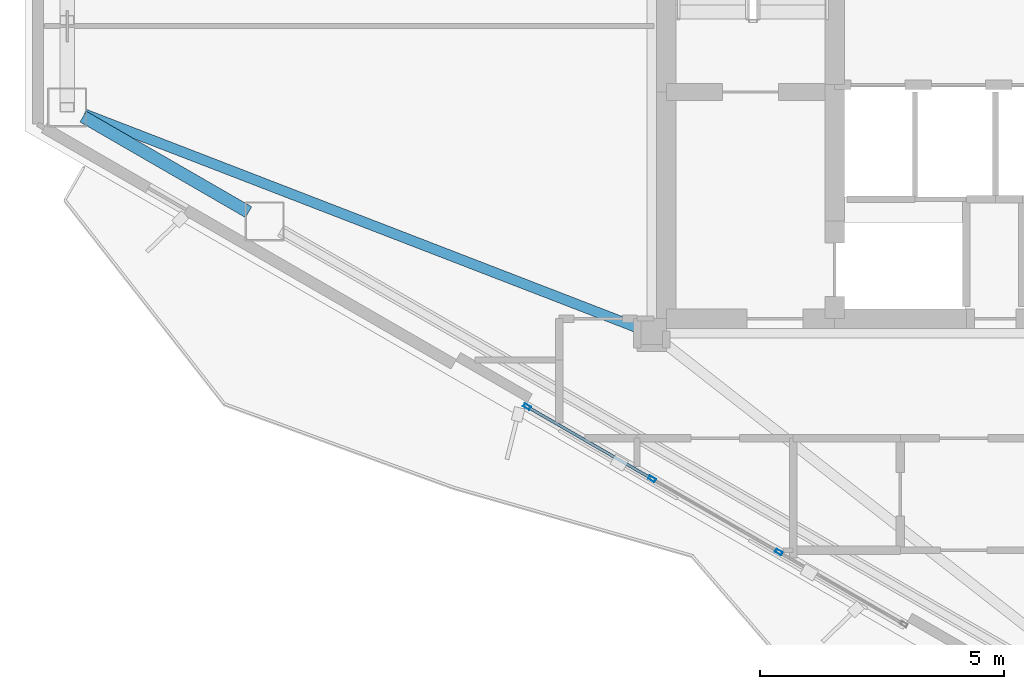
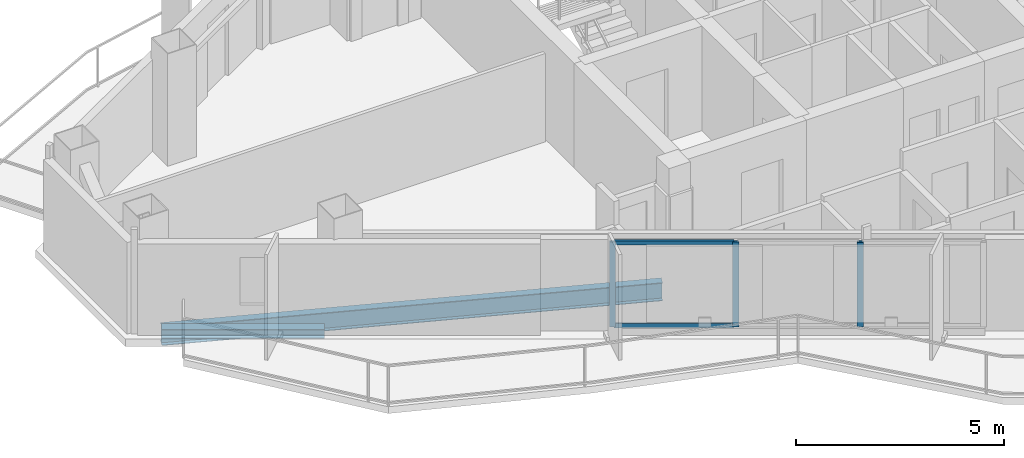
# One storey, part 2 of 22: 5 members, 2 beams, 1 element without a shape of its own.
"""IFC4 building model written with IfcOpenShell, lengths in metres."""

from ifc_helpers import new_model, si_unit, direction, frame, origin, origin_2d, place, context, subcontext, project, spatial, hollow_rectangle, i_section, extrude, material, layer, layer_set, material_profile, profile_set, type_object, element, aggregate, save


model = new_model("IFC4")

# Units and contexts
model_context = context("Model", 3, precision=1e-05, world=origin(), true_north=direction((0.0, 1.0)))
body_context = subcontext(model_context, "Body", "Model", "MODEL_VIEW")
ifc_project = project(units=[si_unit("LENGTHUNIT", "METRE"), si_unit("AREAUNIT", "SQUARE_METRE"), si_unit("VOLUMEUNIT", "CUBIC_METRE"), si_unit("PLANEANGLEUNIT", "RADIAN"), si_unit("MASSUNIT", "GRAM", prefix="KILO")], contexts=[model_context])

# Site, building, storey
site_placement = place(None, origin())
site = spatial("IfcSite", under=ifc_project, at=site_placement, CompositionType="ELEMENT")
building_placement = place(site_placement, origin())
building = spatial("IfcBuilding", under=site, at=building_placement, Name="Mersakhor Tower and Convention Hall", CompositionType="ELEMENT")
storey_placement = place(building_placement, frame((0.0, 0.0, 205.199951171875)))
storey = spatial("IfcBuildingStorey", under=building, at=storey_placement, Name="L57", CompositionType="ELEMENT", Elevation=205.199951171875)

# Beams
ifc_material_1 = material(Name="Steel S355", Category="steel")
ifc_material_profile_1 = material_profile(ifc_material_1, i_section(OverallWidth=0.2099609375, OverallDepth=0.53662109375, WebThickness=0.0107421875, FlangeThickness=0.017333984375, at=origin_2d()), Name="UB 533x210x101")
ifc_profile_set_1 = profile_set([ifc_material_profile_1], Name="Steel S355")
beam_type_1 = type_object("IfcBeamType", Name="BM-FB-533", PredefinedType="BEAM", material=ifc_profile_set_1)
beam_1_placement = place(storey_placement, frame((21.638916015625, 20.55078125, -0.498291015625), z_axis=(-0.932761425449, 0.36049427623, 0.0), x_axis=(-0.36049427623, -0.932761425449, 0.0)))
element("IfcBeam", 1, at=beam_1_placement, inside=storey, type_object=beam_type_1, Name="L57 Primary Floor Girder FG-6", PredefinedType="BEAM", context=body_context, shape_type="SweptSolid", body=[
    extrude(i_section(OverallWidth=0.2099609375, OverallDepth=0.53662109375, WebThickness=0.0107421875, FlangeThickness=0.017333984375, at=origin_2d()), origin(), (0.0, 0.0, 1.0), 12.197021484375),
])
ifc_material_2 = material(Name="Steel S355", Category="steel")
ifc_material_profile_2 = material_profile(ifc_material_2, i_section(OverallWidth=0.25634765625, OverallDepth=0.26025390625, WebThickness=0.01025390625, FlangeThickness=0.017333984375, at=origin_2d()), Name="UC 254x254x89")
ifc_profile_set_2 = profile_set([ifc_material_profile_2], Name="Steel S355")
beam_type_2 = type_object("IfcBeamType", Name="BM-SPD-UC254", PredefinedType="SPANDREL", material=ifc_profile_set_2)
beam_2_placement = place(storey_placement, frame((13.630615234375, 22.93505859375, -0.360107421875), z_axis=(-0.866007153761, 0.500031608635, 0.0), x_axis=(-0.500031608635, -0.866007153761, 0.0)))
element("IfcBeam", 2, at=beam_2_placement, inside=storey, type_object=beam_type_2, Name="L57 Perimeter Spandrel Beam SPB-11", PredefinedType="SPANDREL", context=body_context, shape_type="SweptSolid", body=[
    extrude(i_section(OverallWidth=0.25634765625, OverallDepth=0.26025390625, WebThickness=0.01025390625, FlangeThickness=0.017333984375, at=origin_2d()), origin(), (0.0, 0.0, 1.0), 3.919189453125),
])

# Curtain wall, members
ifc_material_3 = material(Name="Dark solar low-E aluminium curtain wall", Category="aluminium")
ifc_layer = layer(ifc_material_3, 0.169921875)
ifc_layer_set = layer_set([ifc_layer], Name="Dark solar low-E aluminium curtain wall")
curtain_wall_type = type_object("IfcCurtainWallType", Name="CW-SYS-02", PredefinedType="USERDEFINED", material=ifc_layer_set)
curtain_wall_placement = place(storey_placement, origin())
curtain_wall = element("IfcCurtainWall", 3, at=curtain_wall_placement, inside=storey, type_object=curtain_wall_type, Name="L57 Dark-Glass Curtain Wall F3-B2", ObjectType="CURTAIN WALL", PredefinedType="USERDEFINED")
ifc_material_4 = material(Name="Anodised aluminium EN AW-6063 T6", Category="aluminium")
ifc_material_profile_3 = material_profile(ifc_material_4, hollow_rectangle(XDim=0.074951171875, YDim=0.14990234375, WallThickness=0.00634765625, at=origin_2d()), Name="RHS 150x75x6.3")
ifc_profile_set_3 = profile_set([ifc_material_profile_3], Name="Anodised aluminium EN AW-6063 T6")
member_type_1 = type_object("IfcMemberType", Name="CWM-150x75", PredefinedType="MULLION", material=ifc_profile_set_3)
member_1_placement = place(storey_placement, frame((24.504638671875, 15.964111328125, 0.199951171875), z_axis=(0.0, 0.0, 1.0), x_axis=(-0.500007824483, -0.86602088627, 0.0)))
member_1 = element("IfcMember", 4, at=member_1_placement, type_object=member_type_1, Name="CW-02 mullion 2", PredefinedType="MULLION", context=body_context, shape_type="SweptSolid", body=[
    extrude(hollow_rectangle(XDim=0.074951171875, YDim=0.14990234375, WallThickness=0.00634765625, at=origin_2d()), origin(), (0.0, 0.0, 1.0), 2.489990234375),
])
member_2_placement = place(storey_placement, frame((21.906982421875, 17.464111328125, 0.199951171875), z_axis=(0.0, 0.0, 1.0), x_axis=(-0.500007824483, -0.86602088627, 0.0)))
member_2 = element("IfcMember", 5, at=member_2_placement, type_object=member_type_1, Name="CW-02 mullion 3", PredefinedType="MULLION", context=body_context, shape_type="SweptSolid", body=[
    extrude(hollow_rectangle(XDim=0.074951171875, YDim=0.14990234375, WallThickness=0.00634765625, at=origin_2d()), origin(), (0.0, 0.0, 1.0), 2.489990234375),
])
member_3_placement = place(storey_placement, frame((19.341796875, 18.945068359375, 0.199951171875), z_axis=(0.0, 0.0, 1.0), x_axis=(-0.500007824483, -0.86602088627, 0.0)))
member_3 = element("IfcMember", 6, at=member_3_placement, type_object=member_type_1, Name="CW-02 mullion 4", PredefinedType="MULLION", context=body_context, shape_type="SweptSolid", body=[
    extrude(hollow_rectangle(XDim=0.074951171875, YDim=0.14990234375, WallThickness=0.00634765625, at=origin_2d()), origin(), (0.0, 0.0, 1.0), 2.489990234375),
])
ifc_material_5 = material(Name="Anodised aluminium EN AW-6063 T6", Category="aluminium")
ifc_material_profile_4 = material_profile(ifc_material_5, hollow_rectangle(XDim=0.06005859375, YDim=0.1201171875, WallThickness=0.0048828125, at=origin_2d()), Name="RHS 120x60x5")
ifc_profile_set_4 = profile_set([ifc_material_profile_4], Name="Anodised aluminium EN AW-6063 T6")
member_type_2 = type_object("IfcMemberType", Name="CWT-120x60", PredefinedType="USERDEFINED", material=ifc_profile_set_4)
member_4_placement = place(storey_placement, frame((21.87451171875, 17.48291015625, 0.22998046875), z_axis=(-0.86601237176, 0.50002257145, 0.0), x_axis=(-0.50002257145, -0.86601237176, 0.0)))
member_4 = element("IfcMember", 7, at=member_4_placement, type_object=member_type_2, Name="CW-02 transom 3.1", ObjectType="TRANSOM", PredefinedType="USERDEFINED", context=body_context, shape_type="SweptSolid", body=[
    extrude(hollow_rectangle(XDim=0.06005859375, YDim=0.1201171875, WallThickness=0.0048828125, at=origin_2d()), origin(), (0.0, 0.0, 1.0), 2.886962890625),
])
member_5_placement = place(storey_placement, frame((21.87451171875, 17.48291015625, 2.66015625), z_axis=(-0.86601237176, 0.50002257145, 0.0), x_axis=(-0.50002257145, -0.86601237176, 0.0)))
member_5 = element("IfcMember", 8, at=member_5_placement, type_object=member_type_2, Name="CW-02 transom 3.2", ObjectType="TRANSOM", PredefinedType="USERDEFINED", context=body_context, shape_type="SweptSolid", body=[
    extrude(hollow_rectangle(XDim=0.06005859375, YDim=0.1201171875, WallThickness=0.0048828125, at=origin_2d()), origin(), (0.0, 0.0, 1.0), 2.886962890625),
])
aggregate(curtain_wall, [member_1, member_2, member_3, member_4, member_5])

save(model, "model.ifc")
